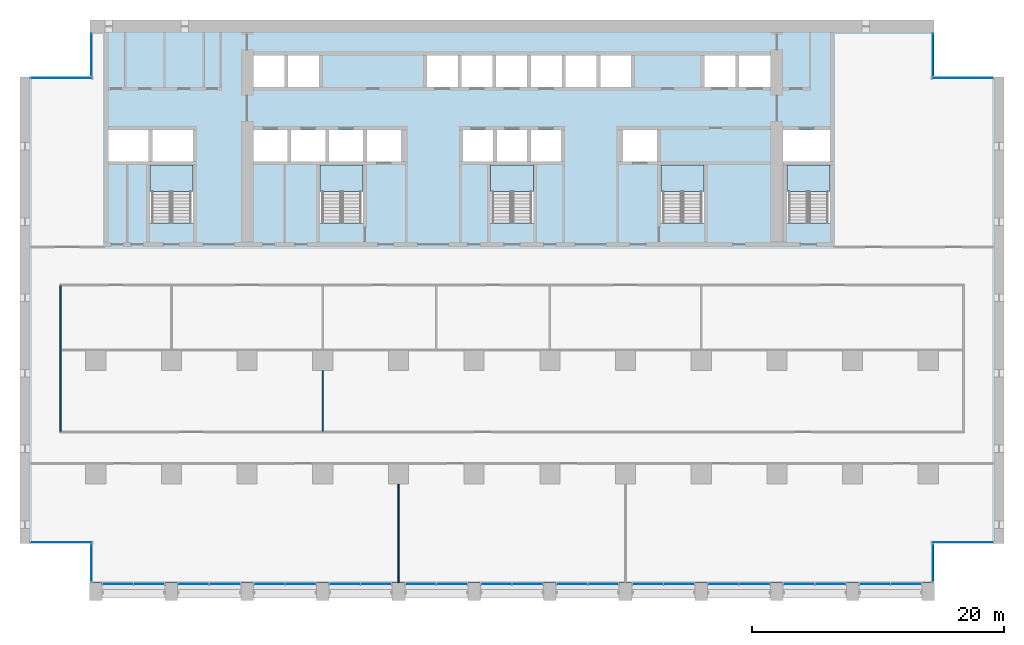
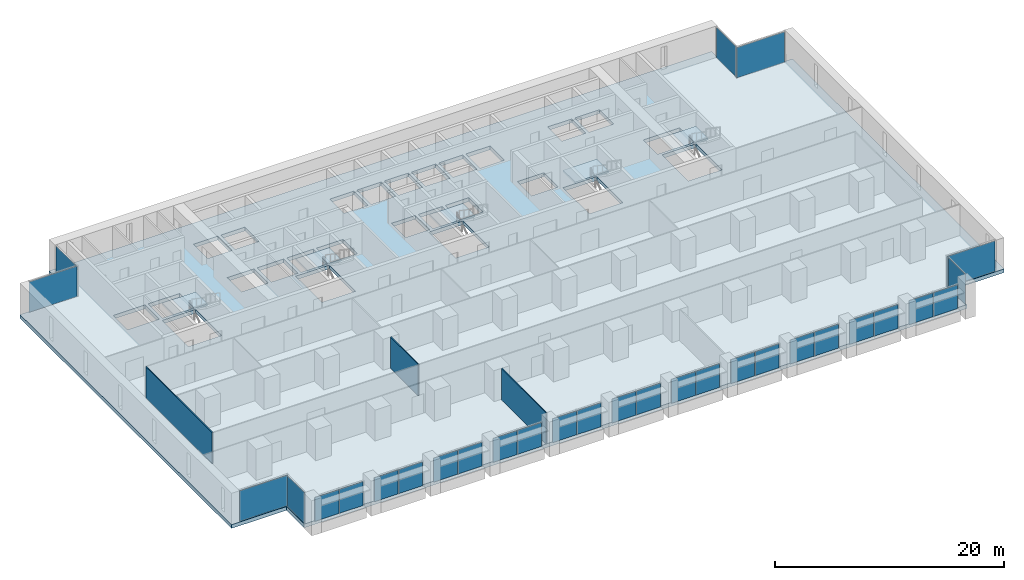
# One storey, part 7 of 17: 30 plates, 6 slabs, 3 walls, 24 elements without a shape of their own.
"""IFC4 building model written with IfcOpenShell, lengths in metres."""

from ifc_helpers import new_model, si_unit, direction, frame, frame_2d, origin, origin_2d, place, context, subcontext, project, spatial, polyline, rectangle, outline, extrude, material, layer, layer_set, type_object, element, aggregate, save


model = new_model("IFC4")

# Units and contexts
model_context = context("Model", 3, precision=1e-05, world=origin(), true_north=direction((0.0, 1.0)))
body_context = subcontext(model_context, "Body", "Model", "MODEL_VIEW")
ifc_project = project(units=[si_unit("LENGTHUNIT", "METRE"), si_unit("AREAUNIT", "SQUARE_METRE"), si_unit("VOLUMEUNIT", "CUBIC_METRE"), si_unit("PLANEANGLEUNIT", "RADIAN"), si_unit("MASSUNIT", "GRAM", prefix="KILO")], contexts=[model_context])

# Site, building, storey
site_placement = place(None, origin())
site = spatial("IfcSite", under=ifc_project, at=site_placement, CompositionType="ELEMENT")
building_placement = place(site_placement, origin())
building = spatial("IfcBuilding", under=site, at=building_placement, Name="Calvaro Tower", CompositionType="ELEMENT")
storey_placement = place(building_placement, frame((0.0, 0.0, 67.5)))
storey = spatial("IfcBuildingStorey", under=building, at=storey_placement, Name="L16", CompositionType="ELEMENT", Elevation=67.5)

# Slab
ifc_material_1 = material(Name="Concrete C40/50", Category="concrete")
ifc_layer_1 = layer(ifc_material_1, 0.39990234375)
ifc_layer_set_1 = layer_set([ifc_layer_1], Name="Concrete C40/50")
slab_type_1 = type_object("IfcSlabType", Name="Floor slab 400 C40/50", PredefinedType="FLOOR", material=ifc_layer_set_1)
slab_1_placement = place(storey_placement, frame((0.0, 0.0, -0.39990234375)))
element("IfcSlab", 1, at=slab_1_placement, inside=storey, type_object=slab_type_1, Name="Floor slab", PredefinedType="FLOOR", context=body_context, shape_type="SweptSolid", body=[
    extrude(outline(polyline([(72.449951171875, 4.5), (72.449951171875, 1.39990234375), (5.550048828125, 1.39990234375), (5.550048828125, 4.5), (0.0, 4.5), (0.0, 41.5), (5.550048828125, 41.5), (5.550048828125, 46.0), (72.449951171875, 46.0), (72.449951171875, 41.5), (78.0, 41.5), (78.0, 4.5), (72.449951171875, 4.5)]), holes=[polyline([(10.300048828125, 29.909912109375), (10.300048828125, 34.5), (12.0, 34.5), (13.699951171875, 34.5), (13.699951171875, 29.909912109375), (12.0, 29.909912109375), (10.300048828125, 29.909912109375)]), polyline([(23.800048828125, 29.909912109375), (23.800048828125, 34.5), (25.5, 34.5), (27.199951171875, 34.5), (27.199951171875, 29.909912109375), (25.5, 29.909912109375), (23.800048828125, 29.909912109375)]), polyline([(37.300048828125, 29.909912109375), (37.300048828125, 34.5), (39.0, 34.5), (40.699951171875, 34.5), (40.699951171875, 29.909912109375), (39.0, 29.909912109375), (37.300048828125, 29.909912109375)]), polyline([(50.800048828125, 29.909912109375), (50.800048828125, 34.5), (52.5, 34.5), (54.199951171875, 34.5), (54.199951171875, 29.909912109375), (52.5, 29.909912109375), (50.800048828125, 29.909912109375)]), polyline([(60.800048828125, 29.909912109375), (60.800048828125, 34.5), (62.5, 34.5), (64.199951171875, 34.5), (64.199951171875, 29.909912109375), (62.5, 29.909912109375), (60.800048828125, 29.909912109375)]), polyline([(18.5, 34.800048828125), (21.199951171875, 34.800048828125), (21.199951171875, 37.300048828125), (18.5, 37.300048828125), (18.5, 34.800048828125)]), polyline([(21.5, 34.800048828125), (24.199951171875, 34.800048828125), (24.199951171875, 37.300048828125), (21.5, 37.300048828125), (21.5, 34.800048828125)]), polyline([(24.5, 34.800048828125), (27.199951171875, 34.800048828125), (27.199951171875, 37.300048828125), (24.5, 37.300048828125), (24.5, 34.800048828125)]), polyline([(35.10009765625, 34.800048828125), (37.5, 34.800048828125), (37.5, 37.300048828125), (35.10009765625, 37.300048828125), (35.10009765625, 34.800048828125)]), polyline([(37.800048828125, 34.800048828125), (40.199951171875, 34.800048828125), (40.199951171875, 37.300048828125), (37.800048828125, 37.300048828125), (37.800048828125, 34.800048828125)]), polyline([(40.5, 34.800048828125), (42.89990234375, 34.800048828125), (42.89990234375, 37.300048828125), (40.5, 37.300048828125), (40.5, 34.800048828125)]), polyline([(18.5, 40.699951171875), (20.949951171875, 40.699951171875), (20.949951171875, 43.199951171875), (18.5, 43.199951171875), (18.5, 40.699951171875)]), polyline([(21.25, 40.699951171875), (23.699951171875, 40.699951171875), (23.699951171875, 43.199951171875), (21.25, 43.199951171875), (21.25, 40.699951171875)]), polyline([(32.25, 40.699951171875), (34.699951171875, 40.699951171875), (34.699951171875, 43.199951171875), (32.25, 43.199951171875), (32.25, 40.699951171875)]), polyline([(35.0, 40.699951171875), (37.449951171875, 40.699951171875), (37.449951171875, 43.199951171875), (35.0, 43.199951171875), (35.0, 40.699951171875)]), polyline([(37.75, 40.699951171875), (40.199951171875, 40.699951171875), (40.199951171875, 43.199951171875), (37.75, 43.199951171875), (37.75, 40.699951171875)]), polyline([(40.5, 40.699951171875), (42.949951171875, 40.699951171875), (42.949951171875, 43.199951171875), (40.5, 43.199951171875), (40.5, 40.699951171875)]), polyline([(43.25, 40.699951171875), (45.699951171875, 40.699951171875), (45.699951171875, 43.199951171875), (43.25, 43.199951171875), (43.25, 40.699951171875)]), polyline([(46.0, 40.699951171875), (48.449951171875, 40.699951171875), (48.449951171875, 43.199951171875), (46.0, 43.199951171875), (46.0, 40.699951171875)]), polyline([(54.25, 40.699951171875), (56.699951171875, 40.699951171875), (56.699951171875, 43.199951171875), (54.25, 43.199951171875), (54.25, 40.699951171875)]), polyline([(57.0, 40.699951171875), (59.5, 40.699951171875), (59.5, 43.199951171875), (57.0, 43.199951171875), (57.0, 40.699951171875)]), polyline([(7.0, 34.800048828125), (10.199951171875, 34.800048828125), (10.199951171875, 37.300048828125), (7.0, 37.300048828125), (7.0, 34.800048828125)]), polyline([(10.5, 34.800048828125), (13.699951171875, 34.800048828125), (13.699951171875, 37.300048828125), (10.5, 37.300048828125), (10.5, 34.800048828125)]), polyline([(60.5, 34.800048828125), (64.199951171875, 34.800048828125), (64.199951171875, 37.300048828125), (60.5, 37.300048828125), (60.5, 34.800048828125)]), polyline([(27.5, 34.800048828125), (30.199951171875, 34.800048828125), (30.199951171875, 37.300048828125), (27.5, 37.300048828125), (27.5, 34.800048828125)]), polyline([(47.800048828125, 34.800048828125), (50.5, 34.800048828125), (50.5, 37.300048828125), (47.800048828125, 37.300048828125), (47.800048828125, 34.800048828125)])]), origin(), (0.0, 0.0, 1.0), 0.39990234375),
])

# Curtain wall, plates
ifc_material_2 = material(Name="Anodised aluminium", Category="aluminium")
curtain_wall_type = type_object("IfcCurtainWallType", Name="Office curtain wall, lower zone", PredefinedType="NOTDEFINED", material=ifc_material_2)
curtain_wall_1_placement = place(storey_placement, origin())
curtain_wall_1 = element("IfcCurtainWall", 2, at=curtain_wall_1_placement, inside=storey, type_object=curtain_wall_type, Name="CW1 south curtain wall", PredefinedType="NOTDEFINED")
ifc_material_3 = material(Name="Glass", Category="glass")
ifc_layer_2 = layer(ifc_material_3, 0.028076171875)
ifc_layer_set_2 = layer_set([ifc_layer_2], Name="Glass")
plate_type = type_object("IfcPlateType", Name="Glass panel S1 28", PredefinedType="CURTAIN_PANEL", material=ifc_layer_set_2)
plate_1_placement = place(storey_placement, frame((7.764892578125, 1.300048828125, 0.0), z_axis=(0.0, 0.0, 1.0), x_axis=(1.0, 0.0, 0.0)))
plate_1 = element("IfcPlate", 3, at=plate_1_placement, type_object=plate_type, Name="CW1 glass panel 1.1", PredefinedType="CURTAIN_PANEL", context=body_context, shape_type="SweptSolid", body=[
    extrude(rectangle(XDim=2.409912109375, YDim=0.028076171875, at=origin_2d()), origin(), (0.0, 0.0, 1.0), 2.550048828125),
])
plate_2_placement = place(storey_placement, frame((10.235107421875, 1.300048828125, 0.0), z_axis=(0.0, 0.0, 1.0), x_axis=(1.0, 0.0, 0.0)))
plate_2 = element("IfcPlate", 4, at=plate_2_placement, type_object=plate_type, Name="CW1 glass panel 2.1", PredefinedType="CURTAIN_PANEL", context=body_context, shape_type="SweptSolid", body=[
    extrude(rectangle(XDim=2.409912109375, YDim=0.028076171875, at=origin_2d()), origin(), (0.0, 0.0, 1.0), 2.550048828125),
])
aggregate(curtain_wall_1, [plate_1, plate_2])

curtain_wall_2_placement = place(storey_placement, origin())
curtain_wall_2 = element("IfcCurtainWall", 5, at=curtain_wall_2_placement, inside=storey, type_object=curtain_wall_type, Name="CW1 south curtain wall", PredefinedType="NOTDEFINED")
plate_3_placement = place(storey_placement, frame((13.764892578125, 1.300048828125, 0.0), z_axis=(0.0, 0.0, 1.0), x_axis=(1.0, 0.0, 0.0)))
plate_3 = element("IfcPlate", 6, at=plate_3_placement, type_object=plate_type, Name="CW1 glass panel 1.1", PredefinedType="CURTAIN_PANEL", context=body_context, shape_type="SweptSolid", body=[
    extrude(rectangle(XDim=2.409912109375, YDim=0.028076171875, at=origin_2d()), origin(), (0.0, 0.0, 1.0), 2.550048828125),
])
plate_4_placement = place(storey_placement, frame((16.235107421875, 1.300048828125, 0.0), z_axis=(0.0, 0.0, 1.0), x_axis=(1.0, 0.0, 0.0)))
plate_4 = element("IfcPlate", 7, at=plate_4_placement, type_object=plate_type, Name="CW1 glass panel 2.1", PredefinedType="CURTAIN_PANEL", context=body_context, shape_type="SweptSolid", body=[
    extrude(rectangle(XDim=2.409912109375, YDim=0.028076171875, at=origin_2d()), origin(), (0.0, 0.0, 1.0), 2.550048828125),
])
aggregate(curtain_wall_2, [plate_3, plate_4])

curtain_wall_3_placement = place(storey_placement, origin())
curtain_wall_3 = element("IfcCurtainWall", 8, at=curtain_wall_3_placement, inside=storey, type_object=curtain_wall_type, Name="CW1 south curtain wall", PredefinedType="NOTDEFINED")
plate_5_placement = place(storey_placement, frame((19.764892578125, 1.300048828125, 0.0), z_axis=(0.0, 0.0, 1.0), x_axis=(1.0, 0.0, 0.0)))
plate_5 = element("IfcPlate", 9, at=plate_5_placement, type_object=plate_type, Name="CW1 glass panel 1.1", PredefinedType="CURTAIN_PANEL", context=body_context, shape_type="SweptSolid", body=[
    extrude(rectangle(XDim=2.409912109375, YDim=0.028076171875, at=origin_2d()), origin(), (0.0, 0.0, 1.0), 2.550048828125),
])
plate_6_placement = place(storey_placement, frame((22.235107421875, 1.300048828125, 0.0), z_axis=(0.0, 0.0, 1.0), x_axis=(1.0, 0.0, 0.0)))
plate_6 = element("IfcPlate", 10, at=plate_6_placement, type_object=plate_type, Name="CW1 glass panel 2.1", PredefinedType="CURTAIN_PANEL", context=body_context, shape_type="SweptSolid", body=[
    extrude(rectangle(XDim=2.409912109375, YDim=0.028076171875, at=origin_2d()), origin(), (0.0, 0.0, 1.0), 2.550048828125),
])
aggregate(curtain_wall_3, [plate_5, plate_6])

curtain_wall_4_placement = place(storey_placement, origin())
curtain_wall_4 = element("IfcCurtainWall", 11, at=curtain_wall_4_placement, inside=storey, type_object=curtain_wall_type, Name="CW1 south curtain wall", PredefinedType="NOTDEFINED")
plate_7_placement = place(storey_placement, frame((25.764892578125, 1.300048828125, 0.0), z_axis=(0.0, 0.0, 1.0), x_axis=(1.0, 0.0, 0.0)))
plate_7 = element("IfcPlate", 12, at=plate_7_placement, type_object=plate_type, Name="CW1 glass panel 1.1", PredefinedType="CURTAIN_PANEL", context=body_context, shape_type="SweptSolid", body=[
    extrude(rectangle(XDim=2.409912109375, YDim=0.028076171875, at=origin_2d()), origin(), (0.0, 0.0, 1.0), 2.550048828125),
])
plate_8_placement = place(storey_placement, frame((28.235107421875, 1.300048828125, 0.0), z_axis=(0.0, 0.0, 1.0), x_axis=(1.0, 0.0, 0.0)))
plate_8 = element("IfcPlate", 13, at=plate_8_placement, type_object=plate_type, Name="CW1 glass panel 2.1", PredefinedType="CURTAIN_PANEL", context=body_context, shape_type="SweptSolid", body=[
    extrude(rectangle(XDim=2.409912109375, YDim=0.028076171875, at=origin_2d()), origin(), (0.0, 0.0, 1.0), 2.550048828125),
])
aggregate(curtain_wall_4, [plate_7, plate_8])

curtain_wall_5_placement = place(storey_placement, origin())
curtain_wall_5 = element("IfcCurtainWall", 14, at=curtain_wall_5_placement, inside=storey, type_object=curtain_wall_type, Name="CW1 south curtain wall", PredefinedType="NOTDEFINED")
plate_9_placement = place(storey_placement, frame((31.764892578125, 1.300048828125, 0.0), z_axis=(0.0, 0.0, 1.0), x_axis=(1.0, 0.0, 0.0)))
plate_9 = element("IfcPlate", 15, at=plate_9_placement, type_object=plate_type, Name="CW1 glass panel 1.1", PredefinedType="CURTAIN_PANEL", context=body_context, shape_type="SweptSolid", body=[
    extrude(rectangle(XDim=2.409912109375, YDim=0.028076171875, at=origin_2d()), origin(), (0.0, 0.0, 1.0), 2.550048828125),
])
plate_10_placement = place(storey_placement, frame((34.235107421875, 1.300048828125, 0.0), z_axis=(0.0, 0.0, 1.0), x_axis=(1.0, 0.0, 0.0)))
plate_10 = element("IfcPlate", 16, at=plate_10_placement, type_object=plate_type, Name="CW1 glass panel 2.1", PredefinedType="CURTAIN_PANEL", context=body_context, shape_type="SweptSolid", body=[
    extrude(rectangle(XDim=2.409912109375, YDim=0.028076171875, at=origin_2d()), origin(), (0.0, 0.0, 1.0), 2.550048828125),
])
aggregate(curtain_wall_5, [plate_9, plate_10])

curtain_wall_6_placement = place(storey_placement, origin())
curtain_wall_6 = element("IfcCurtainWall", 17, at=curtain_wall_6_placement, inside=storey, type_object=curtain_wall_type, Name="CW1 south curtain wall", PredefinedType="NOTDEFINED")
plate_11_placement = place(storey_placement, frame((37.764892578125, 1.300048828125, 0.0), z_axis=(0.0, 0.0, 1.0), x_axis=(1.0, 0.0, 0.0)))
plate_11 = element("IfcPlate", 18, at=plate_11_placement, type_object=plate_type, Name="CW1 glass panel 1.1", PredefinedType="CURTAIN_PANEL", context=body_context, shape_type="SweptSolid", body=[
    extrude(rectangle(XDim=2.409912109375, YDim=0.028076171875, at=origin_2d()), origin(), (0.0, 0.0, 1.0), 2.550048828125),
])
plate_12_placement = place(storey_placement, frame((40.235107421875, 1.300048828125, 0.0), z_axis=(0.0, 0.0, 1.0), x_axis=(1.0, 0.0, 0.0)))
plate_12 = element("IfcPlate", 19, at=plate_12_placement, type_object=plate_type, Name="CW1 glass panel 2.1", PredefinedType="CURTAIN_PANEL", context=body_context, shape_type="SweptSolid", body=[
    extrude(rectangle(XDim=2.409912109375, YDim=0.028076171875, at=origin_2d()), origin(), (0.0, 0.0, 1.0), 2.550048828125),
])
aggregate(curtain_wall_6, [plate_11, plate_12])

curtain_wall_7_placement = place(storey_placement, origin())
curtain_wall_7 = element("IfcCurtainWall", 20, at=curtain_wall_7_placement, inside=storey, type_object=curtain_wall_type, Name="CW1 south curtain wall", PredefinedType="NOTDEFINED")
plate_13_placement = place(storey_placement, frame((43.764892578125, 1.300048828125, 0.0), z_axis=(0.0, 0.0, 1.0), x_axis=(1.0, 0.0, 0.0)))
plate_13 = element("IfcPlate", 21, at=plate_13_placement, type_object=plate_type, Name="CW1 glass panel 1.1", PredefinedType="CURTAIN_PANEL", context=body_context, shape_type="SweptSolid", body=[
    extrude(rectangle(XDim=2.409912109375, YDim=0.028076171875, at=origin_2d()), origin(), (0.0, 0.0, 1.0), 2.550048828125),
])
plate_14_placement = place(storey_placement, frame((46.235107421875, 1.300048828125, 0.0), z_axis=(0.0, 0.0, 1.0), x_axis=(1.0, 0.0, 0.0)))
plate_14 = element("IfcPlate", 22, at=plate_14_placement, type_object=plate_type, Name="CW1 glass panel 2.1", PredefinedType="CURTAIN_PANEL", context=body_context, shape_type="SweptSolid", body=[
    extrude(rectangle(XDim=2.409912109375, YDim=0.028076171875, at=origin_2d()), origin(), (0.0, 0.0, 1.0), 2.550048828125),
])
aggregate(curtain_wall_7, [plate_13, plate_14])

curtain_wall_8_placement = place(storey_placement, origin())
curtain_wall_8 = element("IfcCurtainWall", 23, at=curtain_wall_8_placement, inside=storey, type_object=curtain_wall_type, Name="CW1 south curtain wall", PredefinedType="NOTDEFINED")
plate_15_placement = place(storey_placement, frame((49.764892578125, 1.300048828125, 0.0), z_axis=(0.0, 0.0, 1.0), x_axis=(1.0, 0.0, 0.0)))
plate_15 = element("IfcPlate", 24, at=plate_15_placement, type_object=plate_type, Name="CW1 glass panel 1.1", PredefinedType="CURTAIN_PANEL", context=body_context, shape_type="SweptSolid", body=[
    extrude(rectangle(XDim=2.409912109375, YDim=0.028076171875, at=origin_2d()), origin(), (0.0, 0.0, 1.0), 2.550048828125),
])
plate_16_placement = place(storey_placement, frame((52.235107421875, 1.300048828125, 0.0), z_axis=(0.0, 0.0, 1.0), x_axis=(1.0, 0.0, 0.0)))
plate_16 = element("IfcPlate", 25, at=plate_16_placement, type_object=plate_type, Name="CW1 glass panel 2.1", PredefinedType="CURTAIN_PANEL", context=body_context, shape_type="SweptSolid", body=[
    extrude(rectangle(XDim=2.409912109375, YDim=0.028076171875, at=origin_2d()), origin(), (0.0, 0.0, 1.0), 2.550048828125),
])
aggregate(curtain_wall_8, [plate_15, plate_16])

curtain_wall_9_placement = place(storey_placement, origin())
curtain_wall_9 = element("IfcCurtainWall", 26, at=curtain_wall_9_placement, inside=storey, type_object=curtain_wall_type, Name="CW1 south curtain wall", PredefinedType="NOTDEFINED")
plate_17_placement = place(storey_placement, frame((55.764892578125, 1.300048828125, 0.0), z_axis=(0.0, 0.0, 1.0), x_axis=(1.0, 0.0, 0.0)))
plate_17 = element("IfcPlate", 27, at=plate_17_placement, type_object=plate_type, Name="CW1 glass panel 1.1", PredefinedType="CURTAIN_PANEL", context=body_context, shape_type="SweptSolid", body=[
    extrude(rectangle(XDim=2.409912109375, YDim=0.028076171875, at=origin_2d()), origin(), (0.0, 0.0, 1.0), 2.550048828125),
])
plate_18_placement = place(storey_placement, frame((58.235107421875, 1.300048828125, 0.0), z_axis=(0.0, 0.0, 1.0), x_axis=(1.0, 0.0, 0.0)))
plate_18 = element("IfcPlate", 28, at=plate_18_placement, type_object=plate_type, Name="CW1 glass panel 2.1", PredefinedType="CURTAIN_PANEL", context=body_context, shape_type="SweptSolid", body=[
    extrude(rectangle(XDim=2.409912109375, YDim=0.028076171875, at=origin_2d()), origin(), (0.0, 0.0, 1.0), 2.550048828125),
])
aggregate(curtain_wall_9, [plate_17, plate_18])

curtain_wall_10_placement = place(storey_placement, origin())
curtain_wall_10 = element("IfcCurtainWall", 29, at=curtain_wall_10_placement, inside=storey, type_object=curtain_wall_type, Name="CW1 south curtain wall", PredefinedType="NOTDEFINED")
plate_19_placement = place(storey_placement, frame((61.764892578125, 1.300048828125, 0.0), z_axis=(0.0, 0.0, 1.0), x_axis=(1.0, 0.0, 0.0)))
plate_19 = element("IfcPlate", 30, at=plate_19_placement, type_object=plate_type, Name="CW1 glass panel 1.1", PredefinedType="CURTAIN_PANEL", context=body_context, shape_type="SweptSolid", body=[
    extrude(rectangle(XDim=2.409912109375, YDim=0.028076171875, at=origin_2d()), origin(), (0.0, 0.0, 1.0), 2.550048828125),
])
plate_20_placement = place(storey_placement, frame((64.235107421875, 1.300048828125, 0.0), z_axis=(0.0, 0.0, 1.0), x_axis=(1.0, 0.0, 0.0)))
plate_20 = element("IfcPlate", 31, at=plate_20_placement, type_object=plate_type, Name="CW1 glass panel 2.1", PredefinedType="CURTAIN_PANEL", context=body_context, shape_type="SweptSolid", body=[
    extrude(rectangle(XDim=2.409912109375, YDim=0.028076171875, at=origin_2d()), origin(), (0.0, 0.0, 1.0), 2.550048828125),
])
aggregate(curtain_wall_10, [plate_19, plate_20])

curtain_wall_11_placement = place(storey_placement, origin())
curtain_wall_11 = element("IfcCurtainWall", 32, at=curtain_wall_11_placement, inside=storey, type_object=curtain_wall_type, Name="CW1 south curtain wall", PredefinedType="NOTDEFINED")
plate_21_placement = place(storey_placement, frame((67.764892578125, 1.300048828125, 0.0), z_axis=(0.0, 0.0, 1.0), x_axis=(1.0, 0.0, 0.0)))
plate_21 = element("IfcPlate", 33, at=plate_21_placement, type_object=plate_type, Name="CW1 glass panel 1.1", PredefinedType="CURTAIN_PANEL", context=body_context, shape_type="SweptSolid", body=[
    extrude(rectangle(XDim=2.409912109375, YDim=0.028076171875, at=origin_2d()), origin(), (0.0, 0.0, 1.0), 2.550048828125),
])
plate_22_placement = place(storey_placement, frame((70.235107421875, 1.300048828125, 0.0), z_axis=(0.0, 0.0, 1.0), x_axis=(1.0, 0.0, 0.0)))
plate_22 = element("IfcPlate", 34, at=plate_22_placement, type_object=plate_type, Name="CW1 glass panel 2.1", PredefinedType="CURTAIN_PANEL", context=body_context, shape_type="SweptSolid", body=[
    extrude(rectangle(XDim=2.409912109375, YDim=0.028076171875, at=origin_2d()), origin(), (0.0, 0.0, 1.0), 2.550048828125),
])
aggregate(curtain_wall_11, [plate_21, plate_22])

# Curtain wall, plate
curtain_wall_12_placement = place(storey_placement, origin())
curtain_wall_12 = element("IfcCurtainWall", 35, at=curtain_wall_12_placement, inside=storey, type_object=curtain_wall_type, Name="CW1 corner curtain wall", PredefinedType="NOTDEFINED")
plate_23_placement = place(storey_placement, frame((5.64990234375, 2.949951171875, 0.0), z_axis=(0.0, 0.0, 1.0), x_axis=(0.0, 1.0, 0.0)))
plate_23 = element("IfcPlate", 36, at=plate_23_placement, type_object=plate_type, Name="CW1 glass panel 1.1", PredefinedType="CURTAIN_PANEL", context=body_context, shape_type="SweptSolid", body=[
    extrude(rectangle(XDim=2.97998046875, YDim=0.028076171875, at=origin_2d()), origin(), (0.0, 0.0, 1.0), 3.25),
])
aggregate(curtain_wall_12, [plate_23])

curtain_wall_13_placement = place(storey_placement, origin())
curtain_wall_13 = element("IfcCurtainWall", 37, at=curtain_wall_13_placement, inside=storey, type_object=curtain_wall_type, Name="CW1 corner curtain wall", PredefinedType="NOTDEFINED")
plate_24_placement = place(storey_placement, frame((3.27490234375, 4.60009765625, 0.0), z_axis=(0.0, 0.0, 1.0), x_axis=(1.0, 0.0, 0.0)))
plate_24 = element("IfcPlate", 38, at=plate_24_placement, type_object=plate_type, Name="CW1 glass panel 1.1", PredefinedType="CURTAIN_PANEL", context=body_context, shape_type="SweptSolid", body=[
    extrude(rectangle(XDim=4.830078125, YDim=0.028076171875, at=origin_2d()), origin(), (0.0, 0.0, 1.0), 3.25),
])
aggregate(curtain_wall_13, [plate_24])

curtain_wall_14_placement = place(storey_placement, origin())
curtain_wall_14 = element("IfcCurtainWall", 39, at=curtain_wall_14_placement, inside=storey, type_object=curtain_wall_type, Name="CW1 corner curtain wall", PredefinedType="NOTDEFINED")
plate_25_placement = place(storey_placement, frame((5.64990234375, 43.25, 0.0), z_axis=(0.0, 0.0, 1.0), x_axis=(0.0, 1.0, 0.0)))
plate_25 = element("IfcPlate", 40, at=plate_25_placement, type_object=plate_type, Name="CW1 glass panel 1.1", PredefinedType="CURTAIN_PANEL", context=body_context, shape_type="SweptSolid", body=[
    extrude(rectangle(XDim=3.3798828125, YDim=0.028076171875, at=origin_2d()), origin(), (0.0, 0.0, 1.0), 3.25),
])
aggregate(curtain_wall_14, [plate_25])

curtain_wall_15_placement = place(storey_placement, origin())
curtain_wall_15 = element("IfcCurtainWall", 41, at=curtain_wall_15_placement, inside=storey, type_object=curtain_wall_type, Name="CW1 corner curtain wall", PredefinedType="NOTDEFINED")
plate_26_placement = place(storey_placement, frame((3.27490234375, 41.39990234375, 0.0), z_axis=(0.0, 0.0, 1.0), x_axis=(1.0, 0.0, 0.0)))
plate_26 = element("IfcPlate", 42, at=plate_26_placement, type_object=plate_type, Name="CW1 glass panel 1.1", PredefinedType="CURTAIN_PANEL", context=body_context, shape_type="SweptSolid", body=[
    extrude(rectangle(XDim=4.830078125, YDim=0.028076171875, at=origin_2d()), origin(), (0.0, 0.0, 1.0), 3.25),
])
aggregate(curtain_wall_15, [plate_26])

curtain_wall_16_placement = place(storey_placement, origin())
curtain_wall_16 = element("IfcCurtainWall", 43, at=curtain_wall_16_placement, inside=storey, type_object=curtain_wall_type, Name="CW1 corner curtain wall", PredefinedType="NOTDEFINED")
plate_27_placement = place(storey_placement, frame((72.35009765625, 2.949951171875, 0.0), z_axis=(0.0, 0.0, 1.0), x_axis=(0.0, 1.0, 0.0)))
plate_27 = element("IfcPlate", 44, at=plate_27_placement, type_object=plate_type, Name="CW1 glass panel 1.1", PredefinedType="CURTAIN_PANEL", context=body_context, shape_type="SweptSolid", body=[
    extrude(rectangle(XDim=2.97998046875, YDim=0.028076171875, at=origin_2d()), origin(), (0.0, 0.0, 1.0), 3.25),
])
aggregate(curtain_wall_16, [plate_27])

curtain_wall_17_placement = place(storey_placement, origin())
curtain_wall_17 = element("IfcCurtainWall", 45, at=curtain_wall_17_placement, inside=storey, type_object=curtain_wall_type, Name="CW1 corner curtain wall", PredefinedType="NOTDEFINED")
plate_28_placement = place(storey_placement, frame((74.72509765625, 4.60009765625, 0.0), z_axis=(0.0, 0.0, 1.0), x_axis=(1.0, 0.0, 0.0)))
plate_28 = element("IfcPlate", 46, at=plate_28_placement, type_object=plate_type, Name="CW1 glass panel 1.1", PredefinedType="CURTAIN_PANEL", context=body_context, shape_type="SweptSolid", body=[
    extrude(rectangle(XDim=4.830078125, YDim=0.028076171875, at=origin_2d()), origin(), (0.0, 0.0, 1.0), 3.25),
])
aggregate(curtain_wall_17, [plate_28])

curtain_wall_18_placement = place(storey_placement, origin())
curtain_wall_18 = element("IfcCurtainWall", 47, at=curtain_wall_18_placement, inside=storey, type_object=curtain_wall_type, Name="CW1 corner curtain wall", PredefinedType="NOTDEFINED")
plate_29_placement = place(storey_placement, frame((72.35009765625, 43.25, 0.0), z_axis=(0.0, 0.0, 1.0), x_axis=(0.0, 1.0, 0.0)))
plate_29 = element("IfcPlate", 48, at=plate_29_placement, type_object=plate_type, Name="CW1 glass panel 1.1", PredefinedType="CURTAIN_PANEL", context=body_context, shape_type="SweptSolid", body=[
    extrude(rectangle(XDim=3.3798828125, YDim=0.028076171875, at=origin_2d()), origin(), (0.0, 0.0, 1.0), 3.25),
])
aggregate(curtain_wall_18, [plate_29])

curtain_wall_19_placement = place(storey_placement, origin())
curtain_wall_19 = element("IfcCurtainWall", 49, at=curtain_wall_19_placement, inside=storey, type_object=curtain_wall_type, Name="CW1 corner curtain wall", PredefinedType="NOTDEFINED")
plate_30_placement = place(storey_placement, frame((74.72509765625, 41.39990234375, 0.0), z_axis=(0.0, 0.0, 1.0), x_axis=(1.0, 0.0, 0.0)))
plate_30 = element("IfcPlate", 50, at=plate_30_placement, type_object=plate_type, Name="CW1 glass panel 1.1", PredefinedType="CURTAIN_PANEL", context=body_context, shape_type="SweptSolid", body=[
    extrude(rectangle(XDim=4.830078125, YDim=0.028076171875, at=origin_2d()), origin(), (0.0, 0.0, 1.0), 3.25),
])
aggregate(curtain_wall_19, [plate_30])

# Stair, slab
ifc_material_4 = material(Name="Concrete C40/50", Category="concrete")
stair_type = type_object("IfcStairType", Name="Exit stair 1400 2 flights", PredefinedType="HALF_TURN_STAIR", material=ifc_material_4)
stair_1_placement = place(storey_placement, origin())
stair_1 = element("IfcStair", 51, at=stair_1_placement, inside=storey, type_object=stair_type, Name="Exit stair S1", PredefinedType="HALF_TURN_STAIR")
ifc_material_5 = material(Name="Concrete C40/50", Category="concrete")
ifc_layer_3 = layer(ifc_material_5, 0.199951171875)
ifc_layer_set_3 = layer_set([ifc_layer_3], Name="Concrete C40/50")
slab_type_2 = type_object("IfcSlabType", Name="Stair landing", PredefinedType="LANDING", material=ifc_layer_set_3)
slab_2_placement = place(storey_placement, frame((0.0, 0.0, 1.675048828125)))
slab_2 = element("IfcSlab", 52, at=slab_2_placement, type_object=slab_type_2, Name="Exit stair 1, landing 1", PredefinedType="LANDING", context=body_context, shape_type="SweptSolid", body=[
    extrude(outline(polyline([(11.89990234375, 32.389892578125), (10.5, 32.389892578125), (10.5, 32.39990234375), (10.300048828125, 32.39990234375), (10.300048828125, 34.5), (10.5, 34.5), (11.89990234375, 34.5), (12.10009765625, 34.5), (13.5, 34.5), (13.699951171875, 34.5), (13.699951171875, 32.39990234375), (13.5, 32.39990234375), (13.5, 32.389892578125), (12.10009765625, 32.389892578125), (12.10009765625, 32.39990234375), (11.89990234375, 32.39990234375), (11.89990234375, 32.389892578125)])), origin(), (0.0, 0.0, 1.0), 0.199951171875),
])
aggregate(stair_1, [slab_2])

stair_2_placement = place(storey_placement, origin())
stair_2 = element("IfcStair", 53, at=stair_2_placement, inside=storey, type_object=stair_type, Name="Exit stair S2", PredefinedType="HALF_TURN_STAIR")
slab_3_placement = place(storey_placement, frame((0.0, 0.0, 1.675048828125)))
slab_3 = element("IfcSlab", 54, at=slab_3_placement, type_object=slab_type_2, Name="Exit stair 2, landing 1", PredefinedType="LANDING", context=body_context, shape_type="SweptSolid", body=[
    extrude(outline(polyline([(25.39990234375, 32.389892578125), (24.0, 32.389892578125), (24.0, 32.39990234375), (23.800048828125, 32.39990234375), (23.800048828125, 34.5), (24.0, 34.5), (25.39990234375, 34.5), (25.60009765625, 34.5), (27.0, 34.5), (27.199951171875, 34.5), (27.199951171875, 32.39990234375), (27.0, 32.39990234375), (27.0, 32.389892578125), (25.60009765625, 32.389892578125), (25.60009765625, 32.39990234375), (25.39990234375, 32.39990234375), (25.39990234375, 32.389892578125)])), origin(), (0.0, 0.0, 1.0), 0.199951171875),
])
aggregate(stair_2, [slab_3])

stair_3_placement = place(storey_placement, origin())
stair_3 = element("IfcStair", 55, at=stair_3_placement, inside=storey, type_object=stair_type, Name="Exit stair S3", PredefinedType="HALF_TURN_STAIR")
slab_4_placement = place(storey_placement, frame((0.0, 0.0, 1.675048828125)))
slab_4 = element("IfcSlab", 56, at=slab_4_placement, type_object=slab_type_2, Name="Exit stair 3, landing 1", PredefinedType="LANDING", context=body_context, shape_type="SweptSolid", body=[
    extrude(outline(polyline([(38.89990234375, 32.389892578125), (37.5, 32.389892578125), (37.5, 32.39990234375), (37.300048828125, 32.39990234375), (37.300048828125, 34.5), (37.5, 34.5), (38.89990234375, 34.5), (39.10009765625, 34.5), (40.5, 34.5), (40.699951171875, 34.5), (40.699951171875, 32.39990234375), (40.5, 32.39990234375), (40.5, 32.389892578125), (39.10009765625, 32.389892578125), (39.10009765625, 32.39990234375), (38.89990234375, 32.39990234375), (38.89990234375, 32.389892578125)])), origin(), (0.0, 0.0, 1.0), 0.199951171875),
])
aggregate(stair_3, [slab_4])

stair_4_placement = place(storey_placement, origin())
stair_4 = element("IfcStair", 57, at=stair_4_placement, inside=storey, type_object=stair_type, Name="Exit stair S4", PredefinedType="HALF_TURN_STAIR")
slab_5_placement = place(storey_placement, frame((0.0, 0.0, 1.675048828125)))
slab_5 = element("IfcSlab", 58, at=slab_5_placement, type_object=slab_type_2, Name="Exit stair 4, landing 1", PredefinedType="LANDING", context=body_context, shape_type="SweptSolid", body=[
    extrude(outline(polyline([(52.39990234375, 32.389892578125), (51.0, 32.389892578125), (51.0, 32.39990234375), (50.800048828125, 32.39990234375), (50.800048828125, 34.5), (51.0, 34.5), (52.39990234375, 34.5), (52.60009765625, 34.5), (54.0, 34.5), (54.199951171875, 34.5), (54.199951171875, 32.39990234375), (54.0, 32.39990234375), (54.0, 32.389892578125), (52.60009765625, 32.389892578125), (52.60009765625, 32.39990234375), (52.39990234375, 32.39990234375), (52.39990234375, 32.389892578125)])), origin(), (0.0, 0.0, 1.0), 0.199951171875),
])
aggregate(stair_4, [slab_5])

stair_5_placement = place(storey_placement, origin())
stair_5 = element("IfcStair", 59, at=stair_5_placement, inside=storey, type_object=stair_type, Name="Exit stair S5", PredefinedType="HALF_TURN_STAIR")
slab_6_placement = place(storey_placement, frame((0.0, 0.0, 1.675048828125)))
slab_6 = element("IfcSlab", 60, at=slab_6_placement, type_object=slab_type_2, Name="Exit stair 5, landing 1", PredefinedType="LANDING", context=body_context, shape_type="SweptSolid", body=[
    extrude(outline(polyline([(62.39990234375, 32.389892578125), (61.0, 32.389892578125), (61.0, 32.39990234375), (60.800048828125, 32.39990234375), (60.800048828125, 34.5), (61.0, 34.5), (62.39990234375, 34.5), (62.60009765625, 34.5), (64.0, 34.5), (64.199951171875, 34.5), (64.199951171875, 32.39990234375), (64.0, 32.39990234375), (64.0, 32.389892578125), (62.60009765625, 32.389892578125), (62.60009765625, 32.39990234375), (62.39990234375, 32.39990234375), (62.39990234375, 32.389892578125)])), origin(), (0.0, 0.0, 1.0), 0.199951171875),
])
aggregate(stair_5, [slab_6])

# Walls
ifc_material_6 = material(Name="Plasterboard on steel studs", Category="steel")
ifc_layer_4 = layer(ifc_material_6, 0.10009765625)
ifc_layer_set_4 = layer_set([ifc_layer_4], Name="Plasterboard on steel studs")
wall_type = type_object("IfcWallType", Name="Partition 100", PredefinedType="PARTITIONING", material=ifc_layer_set_4)
wall_1_placement = place(storey_placement, frame((3.199951171875, 13.39990234375, 0.0), z_axis=(0.0, 0.0, 1.0), x_axis=(0.0, 1.0, 0.0)))
element("IfcWall", 61, at=wall_1_placement, inside=storey, type_object=wall_type, Name="Partition T13.W007", PredefinedType="PARTITIONING", context=body_context, shape_type="SweptSolid", body=[
    extrude(rectangle(XDim=11.550048828125, YDim=0.10009765625, at=frame_2d((5.77490234375, 0.0))), origin(), (0.0, 0.0, 1.0), 3.35009765625),
])
wall_2_placement = place(storey_placement, frame((24.0, 13.39990234375, 0.0), z_axis=(0.0, 0.0, 1.0), x_axis=(0.0, 1.0, 0.0)))
element("IfcWall", 62, at=wall_2_placement, inside=storey, type_object=wall_type, Name="Partition T13.W009", PredefinedType="PARTITIONING", context=body_context, shape_type="SweptSolid", body=[
    extrude(rectangle(XDim=4.800048828125, YDim=0.10009765625, at=frame_2d((2.39990234375, 0.0))), origin(), (0.0, 0.0, 1.0), 3.35009765625),
])
wall_3_placement = place(storey_placement, frame((30.0, 1.39990234375, 0.0), z_axis=(0.0, 0.0, 1.0), x_axis=(0.0, 1.0, 0.0)))
element("IfcWall", 63, at=wall_3_placement, inside=storey, type_object=wall_type, Name="Partition T13.W011", PredefinedType="PARTITIONING", context=body_context, shape_type="SweptSolid", body=[
    extrude(rectangle(XDim=7.800048828125, YDim=0.10009765625, at=frame_2d((3.89990234375, 0.0))), origin(), (0.0, 0.0, 1.0), 3.35009765625),
])

save(model, "model.ifc")
